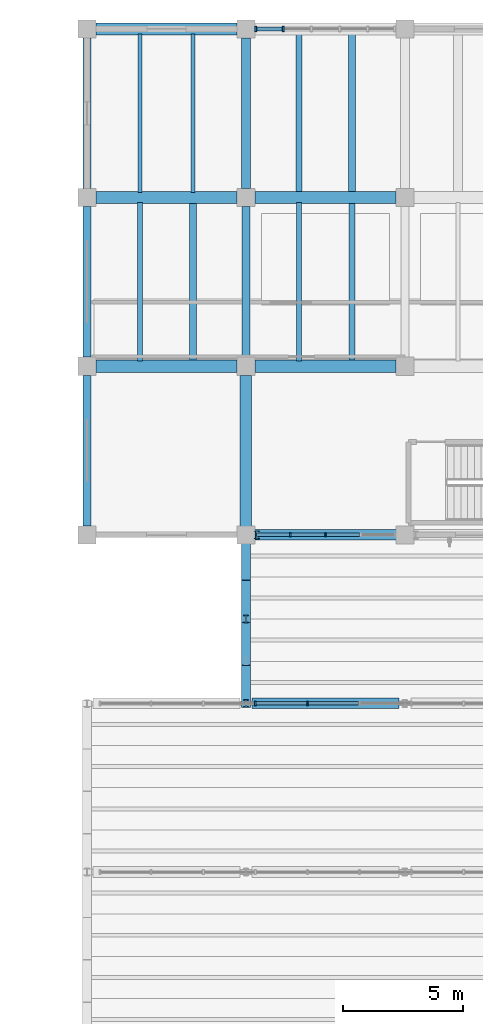
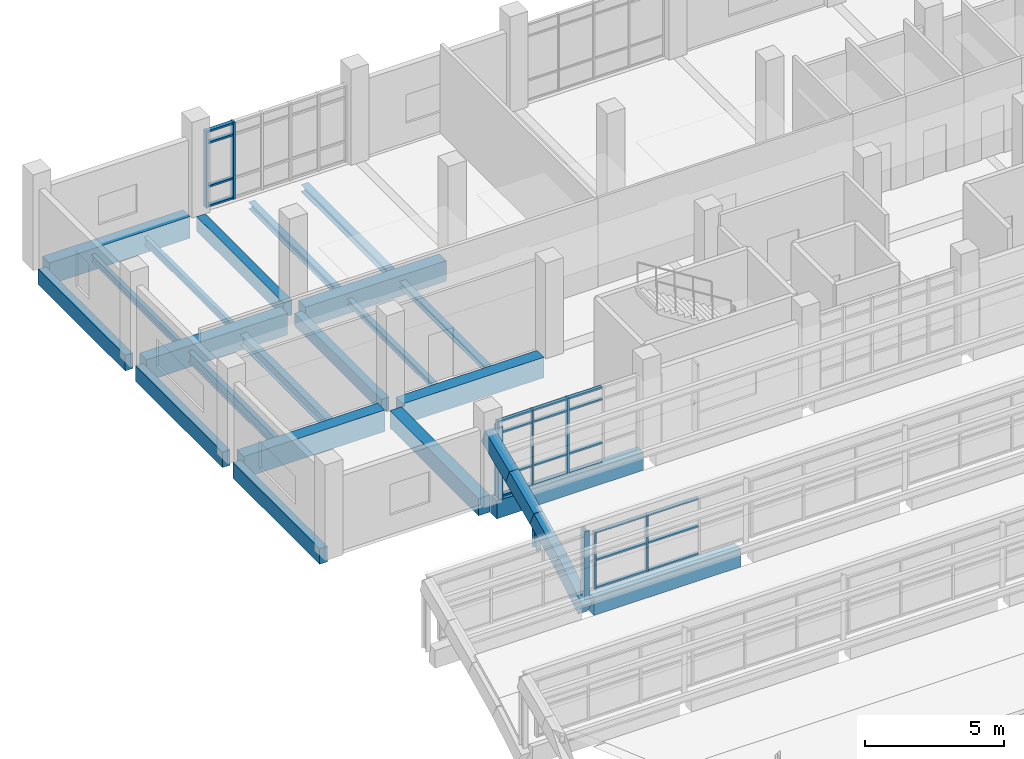
# One storey, part 38 of 92: 32 members, 25 beams, 3 elements without a shape of their own.
"""IFC4 building model written with IfcOpenShell, lengths in metres."""

import ifcopenshell
import ifcopenshell.guid

model = None  # the IFC model being written
_history = None  # IfcOwnerHistory: only IFC2X3 demands one
_inside = {}  # id of a spatial element -> (the spatial element, [elements in it])
_under = {}  # id of a project, library or spatial element -> (it, [spatial elements below it])
_declared = {}  # id of a project -> (the project, [libraries it declares])
_typed = {}  # id of a type object -> (the type object, [elements of that type])
_made_of = {}  # id of a material, layer set ... -> (it, [elements and type objects made of it])


def new_model(schema):
    """Start an empty IFC model of exactly this schema.

    Asked for "IFC4X3", IfcOpenShell would pick the latest addendum, in which some entities
    have other attributes; the version numbers below select the first issue.
    IFC2X3 requires an IfcOwnerHistory on every rooted entity: one is made here for all.
    """
    global model, _history
    if schema == "IFC4X3":
        model = ifcopenshell.file(schema_version=(4, 3, 0, 0))
    else:
        model = ifcopenshell.file(schema=schema)
    _inside.clear()
    _under.clear()
    _declared.clear()
    _typed.clear()
    _made_of.clear()
    _history = None
    if model.schema == "IFC2X3":
        org = make("IfcOrganization", Name="unknown")
        user = make(
            "IfcPersonAndOrganization",
            ThePerson=make("IfcPerson", FamilyName="unknown"),
            TheOrganization=org,
        )
        app = make(
            "IfcApplication",
            ApplicationDeveloper=org,
            Version="unknown",
            ApplicationFullName="unknown",
            ApplicationIdentifier="unknown",
        )
        _history = make(
            "IfcOwnerHistory",
            OwningUser=user,
            OwningApplication=app,
            ChangeAction="ADDED",
            CreationDate=0,
        )
    return model


def make(cls, **values):
    """One entity of the class cls with the attributes given. An attribute that is None is left unset."""
    return model.create_entity(
        cls, **{name: value for name, value in values.items() if value is not None}
    )


def rooted(cls, **values):
    """An entity with a GlobalId (a new one), such as an element, a storey or a relation."""
    return make(cls, GlobalId=ifcopenshell.guid.new(), OwnerHistory=_history, **values)


def si_unit(unit_type, name, prefix=None):
    """IfcSIUnit, for example si_unit("LENGTHUNIT", "METRE", prefix="MILLI")."""
    return make("IfcSIUnit", UnitType=unit_type, Prefix=prefix, Name=name)


def assignment(units):
    """IfcUnitAssignment: the units of a project."""
    return None if units is None else make("IfcUnitAssignment", Units=units)


def point(xyz):
    """IfcCartesianPoint."""
    return None if xyz is None else make("IfcCartesianPoint", Coordinates=xyz)


def direction(xyz):
    """IfcDirection."""
    return None if xyz is None else make("IfcDirection", DirectionRatios=xyz)


def frame(location, z_axis=None, x_axis=None):
    """IfcAxis2Placement3D, a coordinate frame: its origin and axes. An axis left out is left unset."""
    return make(
        "IfcAxis2Placement3D",
        Location=point(location),
        Axis=direction(z_axis),
        RefDirection=direction(x_axis),
    )


def frame_2d(location, x_axis=None):
    """IfcAxis2Placement2D, a coordinate frame in the plane: its origin and x axis."""
    return make(
        "IfcAxis2Placement2D", Location=point(location), RefDirection=direction(x_axis)
    )


def origin():
    """The frame at (0, 0, 0) with its axes left unset."""
    return frame((0.0, 0.0, 0.0))


def origin_2d():
    """The frame at (0, 0) in the plane with its x axis left unset."""
    return frame_2d((0.0, 0.0))


def place(relative_to, where):
    """IfcLocalPlacement: puts the frame where relative to a parent placement (None: the world)."""
    return make(
        "IfcLocalPlacement", PlacementRelTo=relative_to, RelativePlacement=where
    )


def context(
    kind, dimensions, precision=None, world=None, true_north=None, identifier=None
):
    """IfcGeometricRepresentationContext, for example the 3D "Model" context."""
    return make(
        "IfcGeometricRepresentationContext",
        ContextIdentifier=identifier,
        ContextType=kind,
        CoordinateSpaceDimension=dimensions,
        Precision=precision,
        WorldCoordinateSystem=world,
        TrueNorth=true_north,
    )


def subcontext(parent, identifier, kind, view, scale=None):
    """IfcGeometricRepresentationSubContext, for example "Body" below "Model"."""
    return make(
        "IfcGeometricRepresentationSubContext",
        ContextIdentifier=identifier,
        ContextType=kind,
        ParentContext=parent,
        TargetScale=scale,
        TargetView=view,
    )


def project(units=None, contexts=None):
    """IfcProject with its units and contexts."""
    return rooted(
        "IfcProject",
        Name="project",
        RepresentationContexts=contexts,
        UnitsInContext=assignment(units),
    )


def spatial(cls, under=None, at=None, **own):
    """A site, building, storey or space (cls), placed at a placement, below another one or the project."""
    s = rooted(cls, ObjectPlacement=at, **own)
    if under is not None:
        _under.setdefault(under.id(), (under, []))[1].append(s)
    return s


def profile(cls, at=None, kind="AREA", **sizes):
    """A parametric profile (cls). Its sizes go by their IFC names, for example OverallWidth=200.0."""
    return make(cls, ProfileType=kind, Position=at, **sizes)


def rectangle(**sizes):
    """IfcRectangleProfileDef."""
    return profile("IfcRectangleProfileDef", **sizes)


def i_section(**sizes):
    """IfcIShapeProfileDef."""
    return profile("IfcIShapeProfileDef", **sizes)


def extrude(swept, where, along, depth):
    """IfcExtrudedAreaSolid: the profile swept, set in the frame where, extruded along a direction by depth."""
    return make(
        "IfcExtrudedAreaSolid",
        SweptArea=swept,
        Position=where,
        ExtrudedDirection=direction(along),
        Depth=depth,
    )


def shape(context_of_items, identifier, shape_type, items):
    """IfcShapeRepresentation: the items that make up one representation, for example the "Body"."""
    return make(
        "IfcShapeRepresentation",
        ContextOfItems=context_of_items,
        RepresentationIdentifier=identifier,
        RepresentationType=shape_type,
        Items=items,
    )


def material(Name=None, Category=None):
    """IfcMaterial."""
    return make("IfcMaterial", Name=Name, Category=Category)


def material_profile(
    of_material, cross_section, Name=None, Category=None, Priority=None
):
    """IfcMaterialProfile: a cross section and its material."""
    return make(
        "IfcMaterialProfile",
        Name=Name,
        Material=of_material,
        Profile=cross_section,
        Priority=Priority,
        Category=Category,
    )


def profile_set(profiles, Name=None, composite=None):
    """IfcMaterialProfileSet."""
    return make(
        "IfcMaterialProfileSet",
        Name=Name,
        MaterialProfiles=profiles,
        CompositeProfile=composite,
    )


def made_of(thing, what):
    """Note that an element or type object is made of a material, layer set ...; save() writes the relation."""
    if what is not None:
        _made_of.setdefault(what.id(), (what, []))[1].append(thing)
    return thing


def type_object(cls, material=None, **own):
    """A type object (cls), such as IfcWallType, which elements share."""
    return made_of(rooted(cls, **own), material)


def element(
    cls,
    number,
    at=None,
    inside=None,
    cuts=None,
    type_object=None,
    material=None,
    context=None,
    identifier="Body",
    shape_type=None,
    held_by="IfcProductDefinitionShape",
    body=None,
    shapes=None,
    **own,
):
    """One element of the class cls, such as IfcWall. Its Tag is "e" and its number.

    at: its placement. inside: the storey or other place that contains it. cuts: it is an
    opening in that element (IfcRelVoidsElement). A single representation is given by context,
    identifier, shape_type and body (its items); several are given by shapes. held_by: the class
    of the entity that holds the representations. save() writes the other relations.
    """
    e = rooted(cls, Tag="e%d" % number, ObjectPlacement=at, **own)
    if body is not None:
        shapes = [shape(context, identifier, shape_type, body)]
    if shapes is not None:
        e.Representation = make(held_by, Representations=shapes)
    if inside is not None:
        _inside.setdefault(inside.id(), (inside, []))[1].append(e)
    if cuts is not None:
        rooted(
            "IfcRelVoidsElement", RelatingBuildingElement=cuts, RelatedOpeningElement=e
        )
    if type_object is not None:
        _typed.setdefault(type_object.id(), (type_object, []))[1].append(e)
    return made_of(e, material)


def aggregate(whole, parts):
    """IfcRelAggregates: a whole, such as a stair, and the parts it consists of."""
    return rooted("IfcRelAggregates", RelatingObject=whole, RelatedObjects=parts)


def save(model, path):
    """Write the relations noted so far, then the file.

    IfcRelAggregates (storeys below a building ...), IfcRelContainedInSpatialStructure (elements
    in a storey), IfcRelDefinesByType, IfcRelAssociatesMaterial and IfcRelDeclares: one each for
    every whole, place, type object, material and project.
    """
    for whole, parts in _under.values():
        aggregate(whole, parts)
    for where, things in _inside.values():
        rooted(
            "IfcRelContainedInSpatialStructure",
            RelatedElements=things,
            RelatingStructure=where,
        )
    for kind, things in _typed.values():
        rooted("IfcRelDefinesByType", RelatedObjects=things, RelatingType=kind)
    for what, things in _made_of.values():
        rooted("IfcRelAssociatesMaterial", RelatedObjects=things, RelatingMaterial=what)
    for by, libraries in _declared.values():
        rooted("IfcRelDeclares", RelatingContext=by, RelatedDefinitions=libraries)
    model.write(path)


model = new_model("IFC4")

# Units and contexts
model_context = context("Model", 3, precision=1e-05, world=origin(), true_north=direction((0.0, 1.0)))
body_context = subcontext(model_context, "Body", "Model", "MODEL_VIEW")
ifc_project = project(units=[si_unit("LENGTHUNIT", "METRE"), si_unit("AREAUNIT", "SQUARE_METRE"), si_unit("VOLUMEUNIT", "CUBIC_METRE"), si_unit("PLANEANGLEUNIT", "RADIAN"), si_unit("MASSUNIT", "GRAM", prefix="KILO")], contexts=[model_context])

# Site, building, storey
site_placement = place(None, origin())
site = spatial("IfcSite", under=ifc_project, at=site_placement, CompositionType="ELEMENT")
building_placement = place(site_placement, origin())
building = spatial("IfcBuilding", under=site, at=building_placement, Name="Ciguamira Faculty of Natural Sciences", CompositionType="ELEMENT")
storey_placement = place(building_placement, frame((0.0, 0.0, 16.800048828125)))
storey = spatial("IfcBuildingStorey", under=building, at=storey_placement, Name="L04", CompositionType="ELEMENT", Elevation=16.800048828125)

# Curtain wall, members
ifc_material_1 = material(Name="Anodized aluminium curtain wall", Category="aluminium")
curtain_wall_type_1 = type_object("IfcCurtainWallType", Name="CurtainWall_CW-02", PredefinedType="USERDEFINED", material=ifc_material_1)
curtain_wall_1_placement = place(storey_placement, origin())
curtain_wall_1 = element("IfcCurtainWall", 1, at=curtain_wall_1_placement, inside=storey, type_object=curtain_wall_type_1, Name="L04 unitised curtain wall 0122", ObjectType="UNITISED CURTAIN WALL", PredefinedType="USERDEFINED")
ifc_material_2 = material(Name="Anodized aluminium mullion", Category="aluminium")
ifc_material_profile_1 = material_profile(ifc_material_2, rectangle(XDim=0.070068359375, YDim=0.179931640625, at=origin_2d()), Name="ALU-MUL-70X180")
ifc_profile_set_1 = profile_set([ifc_material_profile_1], Name="Anodized aluminium mullion")
member_type_1 = type_object("IfcMemberType", Name="CWMullion_CWM-02", PredefinedType="MULLION", material=ifc_profile_set_1)
member_1_placement = place(storey_placement, frame((64.31005859375, 94.0, 0.0), z_axis=(0.0, 0.0, 1.0), x_axis=(1.0, 0.0, 0.0)))
member_1 = element("IfcMember", 2, at=member_1_placement, type_object=member_type_1, Name="CW-02 mullion 1", PredefinedType="MULLION", context=body_context, shape_type="SweptSolid", body=[
    extrude(rectangle(XDim=0.070068359375, YDim=0.179931640625, at=origin_2d()), origin(), (0.0, 0.0, 1.0), 3.364990234375),
])
member_2_placement = place(storey_placement, frame((65.737548828125, 94.0, 0.0), z_axis=(0.0, 0.0, 1.0), x_axis=(1.0, 0.0, 0.0)))
member_2 = element("IfcMember", 3, at=member_2_placement, type_object=member_type_1, Name="CW-02 mullion 2", PredefinedType="MULLION", context=body_context, shape_type="SweptSolid", body=[
    extrude(rectangle(XDim=0.070068359375, YDim=0.179931640625, at=origin_2d()), origin(), (0.0, 0.0, 1.0), 3.364990234375),
])
member_3_placement = place(storey_placement, frame((67.199951171875, 94.0, 0.0), z_axis=(0.0, 0.0, 1.0), x_axis=(1.0, 0.0, 0.0)))
member_3 = element("IfcMember", 4, at=member_3_placement, type_object=member_type_1, Name="CW-02 mullion 3", PredefinedType="MULLION", context=body_context, shape_type="SweptSolid", body=[
    extrude(rectangle(XDim=0.070068359375, YDim=0.179931640625, at=origin_2d()), origin(), (0.0, 0.0, 1.0), 3.364990234375),
])

curtain_wall_type_2 = type_object("IfcCurtainWallType", Name="CurtainWall_CW-08", PredefinedType="USERDEFINED", material=ifc_material_1)
curtain_wall_2_placement = place(storey_placement, origin())
curtain_wall_2 = element("IfcCurtainWall", 5, at=curtain_wall_2_placement, inside=storey, type_object=curtain_wall_type_2, Name="V4 north-light wave 6 clerestory glazing 1", ObjectType="UNITISED CURTAIN WALL", PredefinedType="USERDEFINED")
member_4_placement = place(storey_placement, frame((64.288818359375, 87.0, 0.25), z_axis=(0.0, 0.0, 1.0), x_axis=(1.0, 0.0, 0.0)))
member_4 = element("IfcMember", 6, at=member_4_placement, type_object=member_type_1, Name="CW-08 mullion 4", PredefinedType="MULLION", context=body_context, shape_type="SweptSolid", body=[
    extrude(rectangle(XDim=0.070068359375, YDim=0.179931640625, at=origin_2d()), origin(), (0.0, 0.0, 1.0), 2.5),
])
member_5_placement = place(storey_placement, frame((66.451904296875, 87.0, 0.25), z_axis=(0.0, 0.0, 1.0), x_axis=(1.0, 0.0, 0.0)))
member_5 = element("IfcMember", 7, at=member_5_placement, type_object=member_type_1, Name="CW-08 mullion 5", PredefinedType="MULLION", context=body_context, shape_type="SweptSolid", body=[
    extrude(rectangle(XDim=0.070068359375, YDim=0.179931640625, at=origin_2d()), origin(), (0.0, 0.0, 1.0), 2.5),
])

curtain_wall_type_3 = type_object("IfcCurtainWallType", Name="CurtainWall_CW-06", PredefinedType="USERDEFINED", material=ifc_material_1)
curtain_wall_3_placement = place(storey_placement, origin())
curtain_wall_3 = element("IfcCurtainWall", 8, at=curtain_wall_3_placement, inside=storey, type_object=curtain_wall_type_3, Name="L04 unitised curtain wall 0126", ObjectType="UNITISED CURTAIN WALL", PredefinedType="USERDEFINED")
ifc_material_profile_2 = material_profile(ifc_material_2, rectangle(XDim=0.080078125, YDim=0.219970703125, at=origin_2d()), Name="ALU-MUL-80X220")
ifc_profile_set_2 = profile_set([ifc_material_profile_2], Name="Anodized aluminium mullion")
member_type_2 = type_object("IfcMemberType", Name="CWMullion_CWM-03", PredefinedType="MULLION", material=ifc_profile_set_2)
member_6_placement = place(storey_placement, frame((64.31494140625, 115.0, 0.0), z_axis=(0.0, 0.0, 1.0), x_axis=(1.0, 0.0, 0.0)))
member_6 = element("IfcMember", 9, at=member_6_placement, type_object=member_type_2, Name="CW-06 mullion 1", PredefinedType="MULLION", context=body_context, shape_type="SweptSolid", body=[
    extrude(rectangle(XDim=0.080078125, YDim=0.219970703125, at=origin_2d()), origin(), (0.0, 0.0, 1.0), 3.364990234375),
])
member_7_placement = place(storey_placement, frame((65.445068359375, 115.0, 0.0), z_axis=(0.0, 0.0, 1.0), x_axis=(1.0, 0.0, 0.0)))
member_7 = element("IfcMember", 10, at=member_7_placement, type_object=member_type_2, Name="CW-06 mullion 2", PredefinedType="MULLION", context=body_context, shape_type="SweptSolid", body=[
    extrude(rectangle(XDim=0.080078125, YDim=0.219970703125, at=origin_2d()), origin(), (0.0, 0.0, 1.0), 3.364990234375),
])

# Member
ifc_material_3 = material(Name="Anodized aluminium transom", Category="aluminium")
ifc_material_profile_3 = material_profile(ifc_material_3, rectangle(XDim=0.070068359375, YDim=0.139892578125, at=origin_2d()), Name="ALU-TRN-70X140")
ifc_profile_set_3 = profile_set([ifc_material_profile_3], Name="Anodized aluminium transom")
member_type_3 = type_object("IfcMemberType", Name="CWTransom_CWT-02", PredefinedType="USERDEFINED", material=ifc_profile_set_3)
member_8_placement = place(storey_placement, frame((64.344970703125, 94.0, 0.034912109375), z_axis=(1.0, 0.0, 0.0), x_axis=(0.0, 0.0, 1.0)))
member_8 = element("IfcMember", 11, at=member_8_placement, type_object=member_type_3, Name="CW-02 transom 1.1", ObjectType="TRANSOM", PredefinedType="USERDEFINED", context=body_context, shape_type="SweptSolid", body=[
    extrude(rectangle(XDim=0.070068359375, YDim=0.139892578125, at=origin_2d()), origin(), (0.0, 0.0, 1.0), 1.357421875),
])

member_9_placement = place(storey_placement, frame((64.344970703125, 94.0, 0.89990234375), z_axis=(1.0, 0.0, 0.0), x_axis=(0.0, 0.0, 1.0)))
member_9 = element("IfcMember", 12, at=member_9_placement, type_object=member_type_3, Name="CW-02 transom 1.2", ObjectType="TRANSOM", PredefinedType="USERDEFINED", context=body_context, shape_type="SweptSolid", body=[
    extrude(rectangle(XDim=0.070068359375, YDim=0.139892578125, at=origin_2d()), origin(), (0.0, 0.0, 1.0), 1.357421875),
])

member_10_placement = place(storey_placement, frame((64.344970703125, 94.0, 2.81494140625), z_axis=(1.0, 0.0, 0.0), x_axis=(0.0, 0.0, 1.0)))
member_10 = element("IfcMember", 13, at=member_10_placement, type_object=member_type_3, Name="CW-02 transom 1.3", ObjectType="TRANSOM", PredefinedType="USERDEFINED", context=body_context, shape_type="SweptSolid", body=[
    extrude(rectangle(XDim=0.070068359375, YDim=0.139892578125, at=origin_2d()), origin(), (0.0, 0.0, 1.0), 1.357421875),
])

member_11_placement = place(storey_placement, frame((64.344970703125, 94.0, 3.329833984375), z_axis=(1.0, 0.0, 0.0), x_axis=(0.0, 0.0, 1.0)))
member_11 = element("IfcMember", 14, at=member_11_placement, type_object=member_type_3, Name="CW-02 transom 1.4", ObjectType="TRANSOM", PredefinedType="USERDEFINED", context=body_context, shape_type="SweptSolid", body=[
    extrude(rectangle(XDim=0.070068359375, YDim=0.139892578125, at=origin_2d()), origin(), (0.0, 0.0, 1.0), 1.357421875),
])

member_12_placement = place(storey_placement, frame((65.7724609375, 94.0, 0.034912109375), z_axis=(1.0, 0.0, 0.0), x_axis=(0.0, 0.0, 1.0)))
member_12 = element("IfcMember", 15, at=member_12_placement, type_object=member_type_3, Name="CW-02 transom 2.1", ObjectType="TRANSOM", PredefinedType="USERDEFINED", context=body_context, shape_type="SweptSolid", body=[
    extrude(rectangle(XDim=0.070068359375, YDim=0.139892578125, at=origin_2d()), origin(), (0.0, 0.0, 1.0), 1.392578125),
])

member_13_placement = place(storey_placement, frame((65.7724609375, 94.0, 0.89990234375), z_axis=(1.0, 0.0, 0.0), x_axis=(0.0, 0.0, 1.0)))
member_13 = element("IfcMember", 16, at=member_13_placement, type_object=member_type_3, Name="CW-02 transom 2.2", ObjectType="TRANSOM", PredefinedType="USERDEFINED", context=body_context, shape_type="SweptSolid", body=[
    extrude(rectangle(XDim=0.070068359375, YDim=0.139892578125, at=origin_2d()), origin(), (0.0, 0.0, 1.0), 1.392578125),
])

member_14_placement = place(storey_placement, frame((65.7724609375, 94.0, 2.81494140625), z_axis=(1.0, 0.0, 0.0), x_axis=(0.0, 0.0, 1.0)))
member_14 = element("IfcMember", 17, at=member_14_placement, type_object=member_type_3, Name="CW-02 transom 2.3", ObjectType="TRANSOM", PredefinedType="USERDEFINED", context=body_context, shape_type="SweptSolid", body=[
    extrude(rectangle(XDim=0.070068359375, YDim=0.139892578125, at=origin_2d()), origin(), (0.0, 0.0, 1.0), 1.392578125),
])

member_15_placement = place(storey_placement, frame((65.7724609375, 94.0, 3.329833984375), z_axis=(1.0, 0.0, 0.0), x_axis=(0.0, 0.0, 1.0)))
member_15 = element("IfcMember", 18, at=member_15_placement, type_object=member_type_3, Name="CW-02 transom 2.4", ObjectType="TRANSOM", PredefinedType="USERDEFINED", context=body_context, shape_type="SweptSolid", body=[
    extrude(rectangle(XDim=0.070068359375, YDim=0.139892578125, at=origin_2d()), origin(), (0.0, 0.0, 1.0), 1.392578125),
])

member_16_placement = place(storey_placement, frame((67.235107421875, 94.0, 0.034912109375), z_axis=(1.0, 0.0, 0.0), x_axis=(0.0, 0.0, 1.0)))
member_16 = element("IfcMember", 19, at=member_16_placement, type_object=member_type_3, Name="CW-02 transom 3.1", ObjectType="TRANSOM", PredefinedType="USERDEFINED", context=body_context, shape_type="SweptSolid", body=[
    extrude(rectangle(XDim=0.070068359375, YDim=0.139892578125, at=origin_2d()), origin(), (0.0, 0.0, 1.0), 1.392333984375),
])

member_17_placement = place(storey_placement, frame((67.235107421875, 94.0, 0.89990234375), z_axis=(1.0, 0.0, 0.0), x_axis=(0.0, 0.0, 1.0)))
member_17 = element("IfcMember", 20, at=member_17_placement, type_object=member_type_3, Name="CW-02 transom 3.2", ObjectType="TRANSOM", PredefinedType="USERDEFINED", context=body_context, shape_type="SweptSolid", body=[
    extrude(rectangle(XDim=0.070068359375, YDim=0.139892578125, at=origin_2d()), origin(), (0.0, 0.0, 1.0), 1.392333984375),
])

member_18_placement = place(storey_placement, frame((67.235107421875, 94.0, 2.81494140625), z_axis=(1.0, 0.0, 0.0), x_axis=(0.0, 0.0, 1.0)))
member_18 = element("IfcMember", 21, at=member_18_placement, type_object=member_type_3, Name="CW-02 transom 3.3", ObjectType="TRANSOM", PredefinedType="USERDEFINED", context=body_context, shape_type="SweptSolid", body=[
    extrude(rectangle(XDim=0.070068359375, YDim=0.139892578125, at=origin_2d()), origin(), (0.0, 0.0, 1.0), 1.392333984375),
])

member_19_placement = place(storey_placement, frame((67.235107421875, 94.0, 3.329833984375), z_axis=(1.0, 0.0, 0.0), x_axis=(0.0, 0.0, 1.0)))
member_19 = element("IfcMember", 22, at=member_19_placement, type_object=member_type_3, Name="CW-02 transom 3.4", ObjectType="TRANSOM", PredefinedType="USERDEFINED", context=body_context, shape_type="SweptSolid", body=[
    extrude(rectangle(XDim=0.070068359375, YDim=0.139892578125, at=origin_2d()), origin(), (0.0, 0.0, 1.0), 1.392333984375),
])

aggregate(curtain_wall_1, [member_1, member_2, member_3, member_8, member_9, member_10, member_11, member_12, member_13, member_14, member_15, member_16, member_17, member_18, member_19])

member_20_placement = place(storey_placement, frame((64.323974609375, 87.0, 0.284912109375), z_axis=(1.0, 0.0, 0.0), x_axis=(0.0, 0.0, 1.0)))
member_20 = element("IfcMember", 23, at=member_20_placement, type_object=member_type_3, Name="CW-08 transom 4.1", ObjectType="TRANSOM", PredefinedType="USERDEFINED", context=body_context, shape_type="SweptSolid", body=[
    extrude(rectangle(XDim=0.070068359375, YDim=0.139892578125, at=origin_2d()), origin(), (0.0, 0.0, 1.0), 2.0927734375),
])

member_21_placement = place(storey_placement, frame((64.323974609375, 87.0, 1.5), z_axis=(1.0, 0.0, 0.0), x_axis=(0.0, 0.0, 1.0)))
member_21 = element("IfcMember", 24, at=member_21_placement, type_object=member_type_3, Name="CW-08 transom 4.2", ObjectType="TRANSOM", PredefinedType="USERDEFINED", context=body_context, shape_type="SweptSolid", body=[
    extrude(rectangle(XDim=0.070068359375, YDim=0.139892578125, at=origin_2d()), origin(), (0.0, 0.0, 1.0), 2.0927734375),
])

member_22_placement = place(storey_placement, frame((64.323974609375, 87.0, 2.71484375), z_axis=(1.0, 0.0, 0.0), x_axis=(0.0, 0.0, 1.0)))
member_22 = element("IfcMember", 25, at=member_22_placement, type_object=member_type_3, Name="CW-08 transom 4.3", ObjectType="TRANSOM", PredefinedType="USERDEFINED", context=body_context, shape_type="SweptSolid", body=[
    extrude(rectangle(XDim=0.070068359375, YDim=0.139892578125, at=origin_2d()), origin(), (0.0, 0.0, 1.0), 2.0927734375),
])

member_23_placement = place(storey_placement, frame((66.48681640625, 87.0, 0.284912109375), z_axis=(1.0, 0.0, 0.0), x_axis=(0.0, 0.0, 1.0)))
member_23 = element("IfcMember", 26, at=member_23_placement, type_object=member_type_3, Name="CW-08 transom 5.1", ObjectType="TRANSOM", PredefinedType="USERDEFINED", context=body_context, shape_type="SweptSolid", body=[
    extrude(rectangle(XDim=0.070068359375, YDim=0.139892578125, at=origin_2d()), origin(), (0.0, 0.0, 1.0), 2.093017578125),
])

member_24_placement = place(storey_placement, frame((66.48681640625, 87.0, 1.5), z_axis=(1.0, 0.0, 0.0), x_axis=(0.0, 0.0, 1.0)))
member_24 = element("IfcMember", 27, at=member_24_placement, type_object=member_type_3, Name="CW-08 transom 5.2", ObjectType="TRANSOM", PredefinedType="USERDEFINED", context=body_context, shape_type="SweptSolid", body=[
    extrude(rectangle(XDim=0.070068359375, YDim=0.139892578125, at=origin_2d()), origin(), (0.0, 0.0, 1.0), 2.093017578125),
])

member_25_placement = place(storey_placement, frame((66.48681640625, 87.0, 2.71484375), z_axis=(1.0, 0.0, 0.0), x_axis=(0.0, 0.0, 1.0)))
member_25 = element("IfcMember", 28, at=member_25_placement, type_object=member_type_3, Name="CW-08 transom 5.3", ObjectType="TRANSOM", PredefinedType="USERDEFINED", context=body_context, shape_type="SweptSolid", body=[
    extrude(rectangle(XDim=0.070068359375, YDim=0.139892578125, at=origin_2d()), origin(), (0.0, 0.0, 1.0), 2.093017578125),
])

aggregate(curtain_wall_2, [member_4, member_5, member_20, member_21, member_22, member_23, member_24, member_25])

ifc_material_profile_4 = material_profile(ifc_material_3, rectangle(XDim=0.080078125, YDim=0.159912109375, at=origin_2d()), Name="ALU-TRN-80X160")
ifc_profile_set_4 = profile_set([ifc_material_profile_4], Name="Anodized aluminium transom")
member_type_4 = type_object("IfcMemberType", Name="CWTransom_CWT-03", PredefinedType="USERDEFINED", material=ifc_profile_set_4)
member_26_placement = place(storey_placement, frame((64.35498046875, 115.0, 0.0400390625), z_axis=(1.0, 0.0, 0.0), x_axis=(0.0, 0.0, 1.0)))
member_26 = element("IfcMember", 29, at=member_26_placement, type_object=member_type_4, Name="CW-06 transom 1.1", ObjectType="TRANSOM", PredefinedType="USERDEFINED", context=body_context, shape_type="SweptSolid", body=[
    extrude(rectangle(XDim=0.080078125, YDim=0.159912109375, at=origin_2d()), origin(), (0.0, 0.0, 1.0), 1.050048828125),
])

member_27_placement = place(storey_placement, frame((64.35498046875, 115.0, 0.89990234375), z_axis=(1.0, 0.0, 0.0), x_axis=(0.0, 0.0, 1.0)))
member_27 = element("IfcMember", 30, at=member_27_placement, type_object=member_type_4, Name="CW-06 transom 1.2", ObjectType="TRANSOM", PredefinedType="USERDEFINED", context=body_context, shape_type="SweptSolid", body=[
    extrude(rectangle(XDim=0.080078125, YDim=0.159912109375, at=origin_2d()), origin(), (0.0, 0.0, 1.0), 1.050048828125),
])

member_28_placement = place(storey_placement, frame((64.35498046875, 115.0, 2.81494140625), z_axis=(1.0, 0.0, 0.0), x_axis=(0.0, 0.0, 1.0)))
member_28 = element("IfcMember", 31, at=member_28_placement, type_object=member_type_4, Name="CW-06 transom 1.3", ObjectType="TRANSOM", PredefinedType="USERDEFINED", context=body_context, shape_type="SweptSolid", body=[
    extrude(rectangle(XDim=0.080078125, YDim=0.159912109375, at=origin_2d()), origin(), (0.0, 0.0, 1.0), 1.050048828125),
])

member_29_placement = place(storey_placement, frame((64.35498046875, 115.0, 3.324951171875), z_axis=(1.0, 0.0, 0.0), x_axis=(0.0, 0.0, 1.0)))
member_29 = element("IfcMember", 32, at=member_29_placement, type_object=member_type_4, Name="CW-06 transom 1.4", ObjectType="TRANSOM", PredefinedType="USERDEFINED", context=body_context, shape_type="SweptSolid", body=[
    extrude(rectangle(XDim=0.080078125, YDim=0.159912109375, at=origin_2d()), origin(), (0.0, 0.0, 1.0), 1.050048828125),
])

aggregate(curtain_wall_3, [member_6, member_7, member_26, member_27, member_28, member_29])

# Beams
ifc_material_4 = material(Name="Concrete C40/50", Category="concrete")
ifc_material_profile_5 = material_profile(ifc_material_4, rectangle(XDim=0.5, YDim=0.949951171875, at=origin_2d()), Name="RC-BM-500X950")
ifc_profile_set_5 = profile_set([ifc_material_profile_5], Name="Concrete C40/50")
beam_type_1 = type_object("IfcBeamType", Name="RCBeam_BG-02_RC-BM-500X950", PredefinedType="BEAM", material=ifc_profile_set_5)
for number, where, z_axis, x_axis, name in (
    (33, (57.675048828125, 101.0, -0.47509765625), (1.0, 0.0, 0.0), (0.0, 1.0, 0.0), "L04 RC girder EW-1362"),
    (34, (57.675048828125, 108.0, -0.47509765625), (1.0, 0.0, 0.0), (0.0, 1.0, 0.0), "L04 RC girder EW-1370"),
    (35, (57.675048828125, 115.0, -0.47509765625), (1.0, 0.0, 0.0), (0.0, 1.0, 0.0), "L04 RC girder EW-1378"),
):
    element("IfcBeam", number, at=place(storey_placement, frame(where, z_axis=z_axis, x_axis=x_axis)), inside=storey, type_object=beam_type_1, Name=name, PredefinedType="BEAM", context=body_context, shape_type="SweptSolid", body=[
        extrude(rectangle(XDim=0.5, YDim=0.949951171875, at=origin_2d()), origin(), (0.0, 0.0, 1.0), 5.849853515625),
    ])
ifc_material_profile_6 = material_profile(ifc_material_4, rectangle(XDim=0.5, YDim=0.89990234375, at=origin_2d()), Name="RC-BM-500X900")
ifc_profile_set_6 = profile_set([ifc_material_profile_6], Name="Concrete C40/50")
beam_type_2 = type_object("IfcBeamType", Name="RCBeam_BG-03_RC-BM-500X900", PredefinedType="BEAM", material=ifc_profile_set_6)
for number, where, z_axis, x_axis, name in (
    (36, (64.27490234375, 101.0, -0.449951171875), (1.0, 0.0, 0.0), (0.0, 1.0, 0.0), "L04 RC girder EW-1363"),
    (37, (64.27490234375, 108.0, -0.449951171875), (1.0, 0.0, 0.0), (0.0, 1.0, 0.0), "L04 RC girder EW-1371"),
):
    element("IfcBeam", number, at=place(storey_placement, frame(where, z_axis=z_axis, x_axis=x_axis)), inside=storey, type_object=beam_type_2, Name=name, PredefinedType="BEAM", context=body_context, shape_type="SweptSolid", body=[
        extrude(rectangle(XDim=0.5, YDim=0.89990234375, at=origin_2d()), origin(), (0.0, 0.0, 1.0), 5.85009765625),
    ])
ifc_material_profile_7 = material_profile(ifc_material_4, rectangle(XDim=0.43994140625, YDim=0.780029296875, at=origin_2d()), Name="RC-BM-440X780")
ifc_profile_set_7 = profile_set([ifc_material_profile_7], Name="Concrete C40/50")
beam_type_3 = type_object("IfcBeamType", Name="RCBeam_BG-06_RC-BM-440X780", PredefinedType="BEAM", material=ifc_profile_set_7)
for number, where, z_axis, x_axis, name in (
    (38, (64.14990234375, 87.0, -0.39013671875), (1.0, 0.0, 0.0), (0.0, 1.0, 0.0), "V4 north-light wave 6 RC valley beam NVL-1-2"),
    (39, (64.14990234375, 94.0, -0.39013671875), (1.0, 0.0, 0.0), (0.0, 1.0, 0.0), "V4 north-light wave 7 RC valley beam NVL-1-1"),
):
    element("IfcBeam", number, at=place(storey_placement, frame(where, z_axis=z_axis, x_axis=x_axis)), inside=storey, type_object=beam_type_3, Name=name, PredefinedType="BEAM", context=body_context, shape_type="SweptSolid", body=[
        extrude(rectangle(XDim=0.43994140625, YDim=0.780029296875, at=origin_2d()), origin(), (0.0, 0.0, 1.0), 6.10009765625),
    ])
ifc_material_profile_8 = material_profile(ifc_material_4, rectangle(XDim=0.3798828125, YDim=0.679931640625, at=origin_2d()), Name="RC-BM-380X680")
ifc_profile_set_8 = profile_set([ifc_material_profile_8], Name="Concrete C40/50")
beam_type_4 = type_object("IfcBeamType", Name="RCBeam_BG-09_RC-BM-380X680", PredefinedType="BEAM", material=ifc_profile_set_8)
beam_1_placement = place(storey_placement, frame((63.89990234375, 87.0, -0.52001953125), z_axis=(0.0, 0.858273746902, 0.513192142749), x_axis=(-1.0, 0.0, 0.0)))
element("IfcBeam", 40, at=beam_1_placement, inside=storey, type_object=beam_type_4, Name="V4 wave roof RC edge arch rib 7-1-1-1", PredefinedType="BEAM", context=body_context, shape_type="SweptSolid", body=[
    extrude(rectangle(XDim=0.3798828125, YDim=0.679931640625, at=origin_2d()), origin(), (0.0, 0.0, 1.0), 2.0390625),
])
beam_2_placement = place(storey_placement, frame((63.89990234375, 88.75, 0.5263671875), z_axis=(0.0, 0.901554457929, 0.432665643872), x_axis=(-1.0, 0.0, 0.0)))
element("IfcBeam", 41, at=beam_2_placement, inside=storey, type_object=beam_type_4, Name="V4 wave roof RC edge arch rib 7-1-2-1", PredefinedType="BEAM", context=body_context, shape_type="SweptSolid", body=[
    extrude(rectangle(XDim=0.3798828125, YDim=0.679931640625, at=origin_2d()), origin(), (0.0, 0.0, 1.0), 1.941162109375),
])
beam_3_placement = place(storey_placement, frame((63.89990234375, 90.5, 1.3662109375), z_axis=(0.0, 0.914132059628, 0.405416548208), x_axis=(-1.0, 0.0, 0.0)))
element("IfcBeam", 42, at=beam_3_placement, inside=storey, type_object=beam_type_4, Name="V4 wave roof RC edge arch rib 7-1-3-1", PredefinedType="BEAM", context=body_context, shape_type="SweptSolid", body=[
    extrude(rectangle(XDim=0.3798828125, YDim=0.679931640625, at=origin_2d()), origin(), (0.0, 0.0, 1.0), 1.914306640625),
])
beam_4_placement = place(storey_placement, frame((63.89990234375, 92.25, 2.142333984375), z_axis=(0.0, 0.921502225808, 0.388373078148), x_axis=(-1.0, 0.0, 0.0)))
element("IfcBeam", 43, at=beam_4_placement, inside=storey, type_object=beam_type_4, Name="V4 wave roof RC edge arch rib 7-1-4-1", PredefinedType="BEAM", context=body_context, shape_type="SweptSolid", body=[
    extrude(rectangle(XDim=0.3798828125, YDim=0.679931640625, at=origin_2d()), origin(), (0.0, 0.0, 1.0), 1.899169921875),
])
ifc_material_profile_9 = material_profile(ifc_material_4, rectangle(XDim=0.360107421875, YDim=0.639892578125, at=origin_2d()), Name="RC-BM-360X640")
ifc_profile_set_9 = profile_set([ifc_material_profile_9], Name="Concrete C40/50")
beam_type_5 = type_object("IfcBeamType", Name="RCBeam_BG-10_RC-BM-360X640", PredefinedType="BEAM", material=ifc_profile_set_9)
beam_5_placement = place(storey_placement, frame((63.89990234375, 108.375, -0.320068359375), z_axis=(0.0, 1.0, 0.0), x_axis=(-1.0, 0.0, 0.0)))
element("IfcBeam", 44, at=beam_5_placement, inside=storey, type_object=beam_type_5, Name="L04 girder NS-1398", PredefinedType="BEAM", context=body_context, shape_type="SweptSolid", body=[
    extrude(rectangle(XDim=0.360107421875, YDim=0.639892578125, at=origin_2d()), origin(), (0.0, 0.0, 1.0), 6.25),
])
ifc_material_profile_10 = material_profile(ifc_material_4, rectangle(XDim=0.320068359375, YDim=0.56005859375, at=origin_2d()), Name="RC-BM-320X560")
ifc_profile_set_10 = profile_set([ifc_material_profile_10], Name="Concrete C40/50")
beam_type_6 = type_object("IfcBeamType", Name="RCBeam_BG-12_RC-BM-320X560", PredefinedType="BEAM", material=ifc_profile_set_10)
beam_6_placement = place(storey_placement, frame((63.89990234375, 101.375, -0.280029296875), z_axis=(0.0, 1.0, 0.0), x_axis=(-1.0, 0.0, 0.0)))
element("IfcBeam", 45, at=beam_6_placement, inside=storey, type_object=beam_type_6, Name="L04 girder NS-1397", PredefinedType="BEAM", context=body_context, shape_type="SweptSolid", body=[
    extrude(rectangle(XDim=0.320068359375, YDim=0.56005859375, at=origin_2d()), origin(), (0.0, 0.0, 1.0), 6.25),
])
ifc_material_5 = material(Name="Precast concrete C40/50", Category="concrete")
ifc_material_profile_11 = material_profile(ifc_material_5, rectangle(XDim=0.320068359375, YDim=0.679931640625, at=origin_2d()), Name="RC-SP-320X680")
ifc_profile_set_11 = profile_set([ifc_material_profile_11], Name="Precast concrete C40/50")
beam_type_7 = type_object("IfcBeamType", Name="RCBeam_SP-02_RC-SP-320X680", PredefinedType="SPANDREL", material=ifc_profile_set_11)
for number, where, z_axis, x_axis, name in (
    (46, (57.300048828125, 94.375, -0.340087890625), (0.0, 1.0, 0.0), (-1.0, 0.0, 0.0), "L04 girder NS-1390"),
    (47, (57.300048828125, 101.375, -0.340087890625), (0.0, 1.0, 0.0), (-1.0, 0.0, 0.0), "L04 girder NS-1391"),
    (48, (57.300048828125, 108.375, -0.340087890625), (0.0, 1.0, 0.0), (-1.0, 0.0, 0.0), "L04 girder NS-1392"),
):
    element("IfcBeam", number, at=place(storey_placement, frame(where, z_axis=z_axis, x_axis=x_axis)), inside=storey, type_object=beam_type_7, Name=name, PredefinedType="SPANDREL", context=body_context, shape_type="SweptSolid", body=[
        extrude(rectangle(XDim=0.320068359375, YDim=0.679931640625, at=origin_2d()), origin(), (0.0, 0.0, 1.0), 6.25),
    ])
ifc_material_profile_12 = material_profile(ifc_material_4, rectangle(XDim=0.47998046875, YDim=0.760009765625, at=origin_2d()), Name="RC-TB-480X760")
ifc_profile_set_12 = profile_set([ifc_material_profile_12], Name="Concrete C40/50")
beam_type_8 = type_object("IfcBeamType", Name="RCBeam_TB-01_RC-TB-480X760", PredefinedType="T_BEAM", material=ifc_profile_set_12)
beam_7_placement = place(storey_placement, frame((63.89990234375, 94.25, -0.380126953125), z_axis=(0.0, 1.0, 0.0), x_axis=(-1.0, 0.0, 0.0)))
element("IfcBeam", 49, at=beam_7_placement, inside=storey, type_object=beam_type_8, Name="L04 girder NS-1396", PredefinedType="T_BEAM", context=body_context, shape_type="SweptSolid", body=[
    extrude(rectangle(XDim=0.47998046875, YDim=0.760009765625, at=origin_2d()), origin(), (0.0, 0.0, 1.0), 6.375),
])
ifc_material_6 = material(Name="Steel ASTM A992 Grade 50", Category="steel")
ifc_material_profile_13 = material_profile(ifc_material_6, i_section(OverallWidth=0.2021484375, OverallDepth=0.2470703125, WebThickness=0.00732421875, FlangeThickness=0.010986328125, at=origin_2d()), Name="W10X33")
ifc_profile_set_13 = profile_set([ifc_material_profile_13], Name="Steel ASTM A992 Grade 50")
beam_type_9 = type_object("IfcBeamType", Name="SteelJoist_SJ-02_W10X33", PredefinedType="JOIST", material=ifc_profile_set_13)
beam_8_placement = place(storey_placement, frame((66.10009765625, 101.2099609375, -0.36376953125), z_axis=(0.0, 1.0, 0.0), x_axis=(-1.0, 0.0, 0.0)))
element("IfcBeam", 50, at=beam_8_placement, inside=storey, type_object=beam_type_9, Name="L04 composite steel joist 01288", PredefinedType="JOIST", context=body_context, shape_type="SweptSolid", body=[
    extrude(i_section(OverallWidth=0.2021484375, OverallDepth=0.2470703125, WebThickness=0.00732421875, FlangeThickness=0.010986328125, at=origin_2d()), origin(), (0.0, 0.0, 1.0), 6.580078125),
])
ifc_material_profile_14 = material_profile(ifc_material_6, i_section(OverallWidth=0.25390625, OverallDepth=0.25390625, WebThickness=0.008544921875, FlangeThickness=0.01416015625, at=origin_2d()), Name="W10X49")
ifc_profile_set_14 = profile_set([ifc_material_profile_14], Name="Steel ASTM A992 Grade 50")
beam_type_10 = type_object("IfcBeamType", Name="SteelJoist_SJ-03_W10X49", PredefinedType="JOIST", material=ifc_profile_set_14)
beam_9_placement = place(storey_placement, frame((68.300048828125, 101.2099609375, -0.366943359375), z_axis=(0.0, 1.0, 0.0), x_axis=(-1.0, 0.0, 0.0)))
element("IfcBeam", 51, at=beam_9_placement, inside=storey, type_object=beam_type_10, Name="L04 composite steel joist 01289", PredefinedType="JOIST", context=body_context, shape_type="SweptSolid", body=[
    extrude(i_section(OverallWidth=0.25390625, OverallDepth=0.25390625, WebThickness=0.008544921875, FlangeThickness=0.01416015625, at=origin_2d()), origin(), (0.0, 0.0, 1.0), 6.580078125),
])
ifc_material_profile_15 = material_profile(ifc_material_6, i_section(OverallWidth=0.164794921875, OverallDepth=0.309814453125, WebThickness=0.005859375, FlangeThickness=0.009765625, at=origin_2d()), Name="W12X26")
ifc_profile_set_15 = profile_set([ifc_material_profile_15], Name="Steel ASTM A992 Grade 50")
beam_type_11 = type_object("IfcBeamType", Name="SteelJoist_SJ-04_W12X26", PredefinedType="JOIST", material=ifc_profile_set_15)
beam_10_placement = place(storey_placement, frame((59.5, 108.2099609375, -0.39501953125), z_axis=(0.0, 1.0, 0.0), x_axis=(-1.0, 0.0, 0.0)))
element("IfcBeam", 52, at=beam_10_placement, inside=storey, type_object=beam_type_11, Name="L04 composite steel joist 01281", PredefinedType="JOIST", context=body_context, shape_type="SweptSolid", body=[
    extrude(i_section(OverallWidth=0.164794921875, OverallDepth=0.309814453125, WebThickness=0.005859375, FlangeThickness=0.009765625, at=origin_2d()), origin(), (0.0, 0.0, 1.0), 6.580078125),
])
ifc_material_profile_16 = material_profile(ifc_material_6, i_section(OverallWidth=0.16650390625, OverallDepth=0.3173828125, WebThickness=0.007568359375, FlangeThickness=0.01318359375, at=origin_2d()), Name="W12X35")
ifc_profile_set_16 = profile_set([ifc_material_profile_16], Name="Steel ASTM A992 Grade 50")
beam_type_12 = type_object("IfcBeamType", Name="SteelJoist_SJ-05_W12X35", PredefinedType="JOIST", material=ifc_profile_set_16)
beam_11_placement = place(storey_placement, frame((61.699951171875, 108.2099609375, -0.39892578125), z_axis=(0.0, 1.0, 0.0), x_axis=(-1.0, 0.0, 0.0)))
element("IfcBeam", 53, at=beam_11_placement, inside=storey, type_object=beam_type_12, Name="L04 composite steel joist 01282", PredefinedType="JOIST", context=body_context, shape_type="SweptSolid", body=[
    extrude(i_section(OverallWidth=0.16650390625, OverallDepth=0.3173828125, WebThickness=0.007568359375, FlangeThickness=0.01318359375, at=origin_2d()), origin(), (0.0, 0.0, 1.0), 6.580078125),
])
ifc_material_profile_17 = material_profile(ifc_material_6, i_section(OverallWidth=0.25390625, OverallDepth=0.307373046875, WebThickness=0.0087890625, FlangeThickness=0.0146484375, at=origin_2d()), Name="W12X53")
ifc_profile_set_17 = profile_set([ifc_material_profile_17], Name="Steel ASTM A992 Grade 50")
beam_type_13 = type_object("IfcBeamType", Name="SteelJoist_SJ-07_W12X53", PredefinedType="JOIST", material=ifc_profile_set_17)
beam_12_placement = place(storey_placement, frame((66.10009765625, 108.2099609375, -0.393798828125), z_axis=(0.0, 1.0, 0.0), x_axis=(-1.0, 0.0, 0.0)))
element("IfcBeam", 54, at=beam_12_placement, inside=storey, type_object=beam_type_13, Name="L04 composite steel joist 01290", PredefinedType="JOIST", context=body_context, shape_type="SweptSolid", body=[
    extrude(i_section(OverallWidth=0.25390625, OverallDepth=0.307373046875, WebThickness=0.0087890625, FlangeThickness=0.0146484375, at=origin_2d()), origin(), (0.0, 0.0, 1.0), 6.580078125),
])
ifc_material_profile_18 = material_profile(ifc_material_6, i_section(OverallWidth=0.3046875, OverallDepth=0.307373046875, WebThickness=0.010009765625, FlangeThickness=0.015380859375, at=origin_2d()), Name="W12X65")
ifc_profile_set_18 = profile_set([ifc_material_profile_18], Name="Steel ASTM A992 Grade 50")
beam_type_14 = type_object("IfcBeamType", Name="SteelJoist_SJ-08_W12X65", PredefinedType="JOIST", material=ifc_profile_set_18)
beam_13_placement = place(storey_placement, frame((68.300048828125, 108.2099609375, -0.393798828125), z_axis=(0.0, 1.0, 0.0), x_axis=(-1.0, 0.0, 0.0)))
element("IfcBeam", 55, at=beam_13_placement, inside=storey, type_object=beam_type_14, Name="L04 composite steel joist 01291", PredefinedType="JOIST", context=body_context, shape_type="SweptSolid", body=[
    extrude(i_section(OverallWidth=0.3046875, OverallDepth=0.307373046875, WebThickness=0.010009765625, FlangeThickness=0.015380859375, at=origin_2d()), origin(), (0.0, 0.0, 1.0), 6.580078125),
])
ifc_material_profile_19 = material_profile(ifc_material_6, i_section(OverallWidth=0.19287109375, OverallDepth=0.46728515625, WebThickness=0.011474609375, FlangeThickness=0.01904296875, at=origin_2d()), Name="W18X65")
ifc_profile_set_19 = profile_set([ifc_material_profile_19], Name="Steel ASTM A992 Grade 50")
beam_type_15 = type_object("IfcBeamType", Name="SteelJoist_SJ-24_W18X65", PredefinedType="JOIST", material=ifc_profile_set_19)
beam_14_placement = place(storey_placement, frame((59.5, 101.2099609375, -0.4736328125), z_axis=(0.0, 1.0, 0.0), x_axis=(-1.0, 0.0, 0.0)))
element("IfcBeam", 56, at=beam_14_placement, inside=storey, type_object=beam_type_15, Name="L04 composite steel joist 01279", PredefinedType="JOIST", context=body_context, shape_type="SweptSolid", body=[
    extrude(i_section(OverallWidth=0.19287109375, OverallDepth=0.46728515625, WebThickness=0.011474609375, FlangeThickness=0.01904296875, at=origin_2d()), origin(), (0.0, 0.0, 1.0), 6.580078125),
])
ifc_material_profile_20 = material_profile(ifc_material_6, i_section(OverallWidth=0.279296875, OverallDepth=0.462158203125, WebThickness=0.0107421875, FlangeThickness=0.017333984375, at=origin_2d()), Name="W18X76")
ifc_profile_set_20 = profile_set([ifc_material_profile_20], Name="Steel ASTM A992 Grade 50")
beam_type_16 = type_object("IfcBeamType", Name="SteelJoist_SJ-25_W18X76", PredefinedType="JOIST", material=ifc_profile_set_20)
beam_15_placement = place(storey_placement, frame((61.699951171875, 101.2099609375, -0.47119140625), z_axis=(0.0, 1.0, 0.0), x_axis=(-1.0, 0.0, 0.0)))
element("IfcBeam", 57, at=beam_15_placement, inside=storey, type_object=beam_type_16, Name="L04 composite steel joist 01280", PredefinedType="JOIST", context=body_context, shape_type="SweptSolid", body=[
    extrude(i_section(OverallWidth=0.279296875, OverallDepth=0.462158203125, WebThickness=0.0107421875, FlangeThickness=0.017333984375, at=origin_2d()), origin(), (0.0, 0.0, 1.0), 6.580078125),
])

# Members
ifc_material_profile_21 = material_profile(ifc_material_6, i_section(OverallWidth=0.20458984375, OverallDepth=0.307373046875, WebThickness=0.008544921875, FlangeThickness=0.0146484375, at=origin_2d()), Name="W12X45")
ifc_profile_set_21 = profile_set([ifc_material_profile_21], Name="Steel ASTM A992 Grade 50")
member_type_5 = type_object("IfcMemberType", Name="SteelMember_TS-01_W12X45", PredefinedType="STRUT", material=ifc_profile_set_21)
member_30_placement = place(storey_placement, frame((63.89990234375, 87.0, 0.0), z_axis=(0.0, 0.0, 1.0), x_axis=(1.0, 0.0, 0.0)))
element("IfcMember", 58, at=member_30_placement, inside=storey, type_object=member_type_5, Name="V4 north-light wave 6 clerestory post 64", PredefinedType="STRUT", context=body_context, shape_type="SweptSolid", body=[
    extrude(i_section(OverallWidth=0.20458984375, OverallDepth=0.307373046875, WebThickness=0.008544921875, FlangeThickness=0.0146484375, at=origin_2d()), origin(), (0.0, 0.0, 1.0), 2.986328125),
])
member_31_placement = place(storey_placement, frame((64.35009765625, 94.0, 0.0), z_axis=(0.0, 0.0, 1.0), x_axis=(1.0, 0.0, 0.0)))
element("IfcMember", 59, at=member_31_placement, inside=storey, type_object=member_type_5, Name="V4 north-light wave 7 clerestory post 64", PredefinedType="STRUT", context=body_context, shape_type="SweptSolid", body=[
    extrude(i_section(OverallWidth=0.20458984375, OverallDepth=0.307373046875, WebThickness=0.008544921875, FlangeThickness=0.0146484375, at=origin_2d()), origin(), (0.0, 0.0, 1.0), 3.14990234375),
])
member_32_placement = place(storey_placement, frame((63.89990234375, 90.5, 0.0), z_axis=(0.0, 0.0, 1.0), x_axis=(1.0, 0.0, 0.0)))
element("IfcMember", 60, at=member_32_placement, inside=storey, type_object=member_type_5, Name="V4 wave roof 7 edge rib support post 3-1", PredefinedType="STRUT", context=body_context, shape_type="SweptSolid", body=[
    extrude(i_section(OverallWidth=0.20458984375, OverallDepth=0.307373046875, WebThickness=0.008544921875, FlangeThickness=0.0146484375, at=origin_2d()), origin(), (0.0, 0.0, 1.0), 1.3662109375),
])

save(model, "model.ifc")
